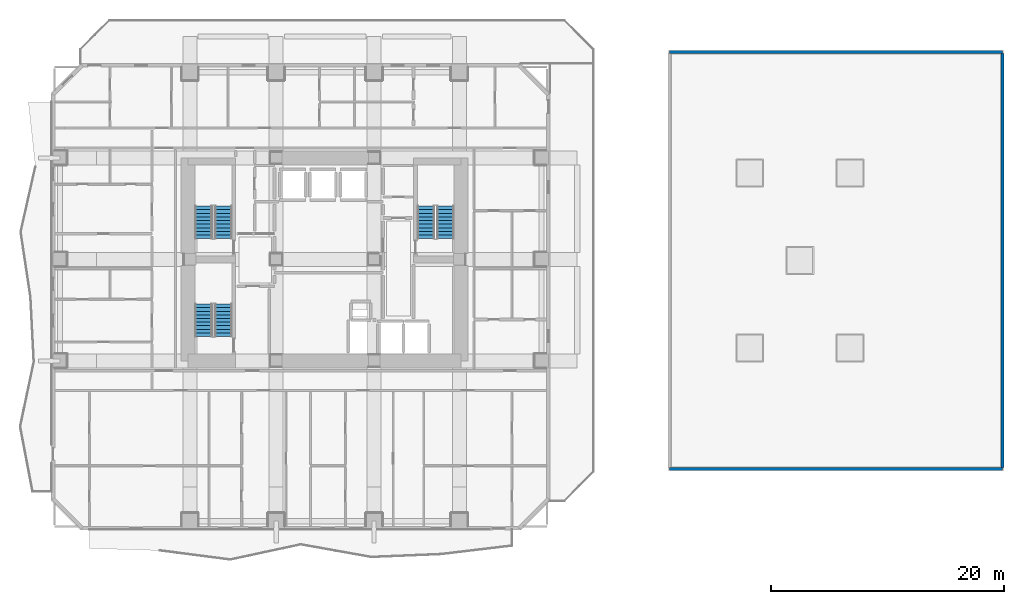
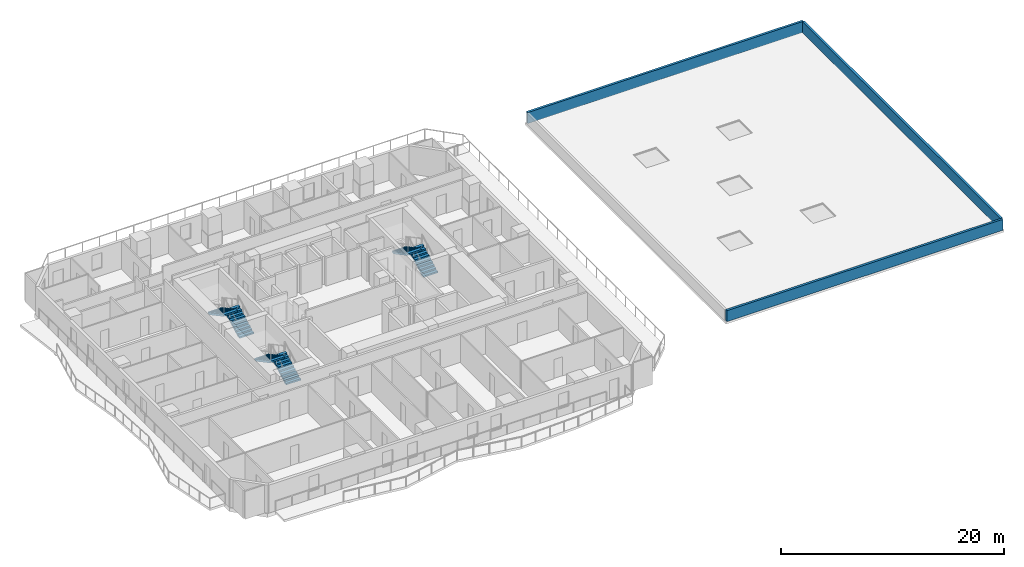
# One storey, part 9 of 13: 6 stair flights, 3 walls, 3 elements without a shape of their own.
"""IFC4 building model written with IfcOpenShell, lengths in metres."""

from ifc_helpers import new_model, si_unit, direction, frame, frame_2d, origin, place, context, subcontext, project, spatial, polyline, rectangle, outline, extrude, material, layer, layer_set, type_object, element, aggregate, save


model = new_model("IFC4")

# Units and contexts
model_context = context("Model", 3, precision=1e-05, world=origin(), true_north=direction((0.0, 1.0)))
body_context = subcontext(model_context, "Body", "Model", "MODEL_VIEW")
ifc_project = project(units=[si_unit("LENGTHUNIT", "METRE"), si_unit("AREAUNIT", "SQUARE_METRE"), si_unit("VOLUMEUNIT", "CUBIC_METRE"), si_unit("PLANEANGLEUNIT", "RADIAN"), si_unit("MASSUNIT", "GRAM", prefix="KILO")], contexts=[model_context])

# Site, building, storey
site_placement = place(None, origin())
site = spatial("IfcSite", under=ifc_project, at=site_placement, CompositionType="ELEMENT")
building_placement = place(site_placement, origin())
building = spatial("IfcBuilding", under=site, at=building_placement, Name="Solanera Arch Residences", CompositionType="ELEMENT")
storey_placement = place(building_placement, frame((0.0, 0.0, 22.0)))
storey = spatial("IfcBuildingStorey", under=building, at=storey_placement, Name="L05", CompositionType="ELEMENT", Elevation=22.0)

# Walls
ifc_material_1 = material(Name="Precast Concrete C35/45", Category="concrete")
ifc_layer = layer(ifc_material_1, 0.239990234375)
ifc_layer_set = layer_set([ifc_layer], Name="Precast Concrete C35/45")
wall_type = type_object("IfcWallType", Name="Parapet Wall Precast 240", PredefinedType="PARAPET", material=ifc_layer_set)
for number, where, z_axis, x_axis, name in (
    (1, (83.080078125, 12.719970703125, 0.239990234375), (0.0, 0.0, 1.0), (-1.0, 0.0, 0.0), "Sports Hall Roof Parapet Wall S"),
    (2, (54.52001953125, 48.47998046875, 0.239990234375), (0.0, 0.0, 1.0), (1.0, 0.0, 0.0), "Sports Hall Roof Parapet Wall N"),
):
    element("IfcWall", number, at=place(storey_placement, frame(where, z_axis=z_axis, x_axis=x_axis)), inside=storey, type_object=wall_type, Name=name, PredefinedType="PARAPET", context=body_context, shape_type="SweptSolid", body=[
        extrude(rectangle(XDim=28.56005859375, YDim=0.239990234375, at=frame_2d((14.280029296875, 0.0))), origin(), (0.0, 0.0, 1.0), 1.199951171875),
    ])
wall_placement = place(storey_placement, frame((83.080078125, 48.360107421875, 0.239990234375), z_axis=(0.0, 0.0, 1.0), x_axis=(0.0, -1.0, 0.0)))
element("IfcWall", 3, at=wall_placement, inside=storey, type_object=wall_type, Name="Sports Hall Roof Parapet Wall E", PredefinedType="PARAPET", context=body_context, shape_type="SweptSolid", body=[
    extrude(rectangle(XDim=35.52001953125, YDim=0.239990234375, at=frame_2d((17.760009765625, 0.0))), origin(), (0.0, 0.0, 1.0), 1.199951171875),
])

# Stair, stair flights
ifc_material_2 = material(Name="Concrete C40/50 (f'c = 45 MPa)", Category="concrete")
stair_type = type_object("IfcStairType", Name="Tower Dogleg Exit Stair 1480", PredefinedType="HALF_TURN_STAIR", material=ifc_material_2)
stair_1_placement = place(storey_placement, origin())
stair_1 = element("IfcStair", 4, at=stair_1_placement, inside=storey, type_object=stair_type, Name="L05 Tower Core Exit Stair 1", PredefinedType="HALF_TURN_STAIR")
ifc_material_3 = material(Name="Concrete C40/50 (f'c = 45 MPa)", Category="concrete")
stair_flight_type = type_object("IfcStairFlightType", Name="Tower Precast Stair Flight 1480", PredefinedType="STRAIGHT", material=ifc_material_3)
stair_flight_1_placement = place(storey_placement, frame((16.260009765625, 32.47998046875, 0.0), z_axis=(0.0, 0.0, 1.0), x_axis=(0.0, 1.0, 0.0)))
stair_flight_1 = element("IfcStairFlight", 5, at=stair_flight_1_placement, type_object=stair_flight_type, Name="ST-T1 flight 1", NumberOfRisers=10, NumberOfTreads=9, PredefinedType="STRAIGHT", RiserHeight=0.166, TreadLength=0.31, context=body_context, shape_type="SweptSolid", body=[
    extrude(outline(polyline([(0.0, 0.0), (0.0, 0.166015625), (0.31005859375, 0.166015625), (0.31005859375, 0.33203125), (0.6201171875, 0.33203125), (0.6201171875, 0.498046875), (0.929931640625, 0.498046875), (0.929931640625, 0.6640625), (1.239990234375, 0.6640625), (1.239990234375, 0.830078125), (1.550048828125, 0.830078125), (1.550048828125, 0.99609375), (1.860107421875, 0.99609375), (1.860107421875, 1.162109375), (2.169921875, 1.162109375), (2.169921875, 1.327880859375), (2.47998046875, 1.327880859375), (2.47998046875, 1.493896484375), (2.7900390625, 1.493896484375), (2.7900390625, 1.659912109375), (2.7900390625, 1.323974609375), (0.317626953125, 0.0), (0.0, 0.0)])), frame((0.0, 0.739990234375, 0.0), z_axis=(0.0, -1.0, 0.0), x_axis=(1.0, 0.0, 0.0)), (0.0, 0.0, 1.0), 1.47998046875),
])
stair_flight_2_placement = place(storey_placement, frame((14.580078125, 35.27001953125, 1.659912109375), z_axis=(0.0, 0.0, 1.0), x_axis=(0.0, -1.0, 0.0)))
stair_flight_2 = element("IfcStairFlight", 6, at=stair_flight_2_placement, type_object=stair_flight_type, Name="ST-T1 flight 2", NumberOfRisers=10, NumberOfTreads=9, PredefinedType="STRAIGHT", RiserHeight=0.166, TreadLength=0.31, context=body_context, shape_type="SweptSolid", body=[
    extrude(outline(polyline([(0.0, 0.0), (0.0, 0.166015625), (0.31005859375, 0.166015625), (0.31005859375, 0.33203125), (0.6201171875, 0.33203125), (0.6201171875, 0.498046875), (0.929931640625, 0.498046875), (0.929931640625, 0.6640625), (1.239990234375, 0.6640625), (1.239990234375, 0.830078125), (1.550048828125, 0.830078125), (1.550048828125, 0.99609375), (1.860107421875, 0.99609375), (1.860107421875, 1.162109375), (2.169921875, 1.162109375), (2.169921875, 1.327880859375), (2.47998046875, 1.327880859375), (2.47998046875, 1.493896484375), (2.7900390625, 1.493896484375), (2.7900390625, 1.659912109375), (2.7900390625, 1.323974609375), (0.317626953125, 0.0), (0.0, 0.0)])), frame((0.0, 0.739990234375, 0.0), z_axis=(0.0, -1.0, 0.0), x_axis=(1.0, 0.0, 0.0)), (0.0, 0.0, 1.0), 1.47998046875),
])
aggregate(stair_1, [stair_flight_1, stair_flight_2])

stair_2_placement = place(storey_placement, origin())
stair_2 = element("IfcStair", 7, at=stair_2_placement, inside=storey, type_object=stair_type, Name="L05 Tower Core Exit Stair 2", PredefinedType="HALF_TURN_STAIR")
stair_flight_3_placement = place(storey_placement, frame((35.320068359375, 32.47998046875, 0.0), z_axis=(0.0, 0.0, 1.0), x_axis=(0.0, 1.0, 0.0)))
stair_flight_3 = element("IfcStairFlight", 8, at=stair_flight_3_placement, type_object=stair_flight_type, Name="ST-T2 flight 1", NumberOfRisers=10, NumberOfTreads=9, PredefinedType="STRAIGHT", RiserHeight=0.166, TreadLength=0.31, context=body_context, shape_type="SweptSolid", body=[
    extrude(outline(polyline([(0.0, 0.0), (0.0, 0.166015625), (0.31005859375, 0.166015625), (0.31005859375, 0.33203125), (0.6201171875, 0.33203125), (0.6201171875, 0.498046875), (0.929931640625, 0.498046875), (0.929931640625, 0.6640625), (1.239990234375, 0.6640625), (1.239990234375, 0.830078125), (1.550048828125, 0.830078125), (1.550048828125, 0.99609375), (1.860107421875, 0.99609375), (1.860107421875, 1.162109375), (2.169921875, 1.162109375), (2.169921875, 1.327880859375), (2.47998046875, 1.327880859375), (2.47998046875, 1.493896484375), (2.7900390625, 1.493896484375), (2.7900390625, 1.659912109375), (2.7900390625, 1.323974609375), (0.317626953125, 0.0), (0.0, 0.0)])), frame((0.0, 0.739990234375, 0.0), z_axis=(0.0, -1.0, 0.0), x_axis=(1.0, 0.0, 0.0)), (0.0, 0.0, 1.0), 1.47998046875),
])
stair_flight_4_placement = place(storey_placement, frame((33.639892578125, 35.27001953125, 1.659912109375), z_axis=(0.0, 0.0, 1.0), x_axis=(0.0, -1.0, 0.0)))
stair_flight_4 = element("IfcStairFlight", 9, at=stair_flight_4_placement, type_object=stair_flight_type, Name="ST-T2 flight 2", NumberOfRisers=10, NumberOfTreads=9, PredefinedType="STRAIGHT", RiserHeight=0.166, TreadLength=0.31, context=body_context, shape_type="SweptSolid", body=[
    extrude(outline(polyline([(0.0, 0.0), (0.0, 0.166015625), (0.31005859375, 0.166015625), (0.31005859375, 0.33203125), (0.6201171875, 0.33203125), (0.6201171875, 0.498046875), (0.929931640625, 0.498046875), (0.929931640625, 0.6640625), (1.239990234375, 0.6640625), (1.239990234375, 0.830078125), (1.550048828125, 0.830078125), (1.550048828125, 0.99609375), (1.860107421875, 0.99609375), (1.860107421875, 1.162109375), (2.169921875, 1.162109375), (2.169921875, 1.327880859375), (2.47998046875, 1.327880859375), (2.47998046875, 1.493896484375), (2.7900390625, 1.493896484375), (2.7900390625, 1.659912109375), (2.7900390625, 1.323974609375), (0.317626953125, 0.0), (0.0, 0.0)])), frame((0.0, 0.739990234375, 0.0), z_axis=(0.0, -1.0, 0.0), x_axis=(1.0, 0.0, 0.0)), (0.0, 0.0, 1.0), 1.47998046875),
])
aggregate(stair_2, [stair_flight_3, stair_flight_4])

stair_3_placement = place(storey_placement, origin())
stair_3 = element("IfcStair", 10, at=stair_3_placement, inside=storey, type_object=stair_type, Name="L05 Tower Core Exit Stair 3", PredefinedType="HALF_TURN_STAIR")
stair_flight_5_placement = place(storey_placement, frame((16.260009765625, 24.080078125, 0.0), z_axis=(0.0, 0.0, 1.0), x_axis=(0.0, 1.0, 0.0)))
stair_flight_5 = element("IfcStairFlight", 11, at=stair_flight_5_placement, type_object=stair_flight_type, Name="ST-T3 flight 1", NumberOfRisers=10, NumberOfTreads=9, PredefinedType="STRAIGHT", RiserHeight=0.166, TreadLength=0.31, context=body_context, shape_type="SweptSolid", body=[
    extrude(outline(polyline([(0.0, 0.0), (0.0, 0.166015625), (0.31005859375, 0.166015625), (0.31005859375, 0.33203125), (0.6201171875, 0.33203125), (0.6201171875, 0.498046875), (0.929931640625, 0.498046875), (0.929931640625, 0.6640625), (1.239990234375, 0.6640625), (1.239990234375, 0.830078125), (1.550048828125, 0.830078125), (1.550048828125, 0.99609375), (1.860107421875, 0.99609375), (1.860107421875, 1.162109375), (2.169921875, 1.162109375), (2.169921875, 1.327880859375), (2.47998046875, 1.327880859375), (2.47998046875, 1.493896484375), (2.7900390625, 1.493896484375), (2.7900390625, 1.659912109375), (2.7900390625, 1.323974609375), (0.317626953125, 0.0), (0.0, 0.0)])), frame((0.0, 0.739990234375, 0.0), z_axis=(0.0, -1.0, 0.0), x_axis=(1.0, 0.0, 0.0)), (0.0, 0.0, 1.0), 1.47998046875),
])
stair_flight_6_placement = place(storey_placement, frame((14.580078125, 26.8701171875, 1.659912109375), z_axis=(0.0, 0.0, 1.0), x_axis=(0.0, -1.0, 0.0)))
stair_flight_6 = element("IfcStairFlight", 12, at=stair_flight_6_placement, type_object=stair_flight_type, Name="ST-T3 flight 2", NumberOfRisers=10, NumberOfTreads=9, PredefinedType="STRAIGHT", RiserHeight=0.166, TreadLength=0.31, context=body_context, shape_type="SweptSolid", body=[
    extrude(outline(polyline([(0.0, 0.0), (0.0, 0.166015625), (0.31005859375, 0.166015625), (0.31005859375, 0.33203125), (0.6201171875, 0.33203125), (0.6201171875, 0.498046875), (0.929931640625, 0.498046875), (0.929931640625, 0.6640625), (1.239990234375, 0.6640625), (1.239990234375, 0.830078125), (1.550048828125, 0.830078125), (1.550048828125, 0.99609375), (1.860107421875, 0.99609375), (1.860107421875, 1.162109375), (2.169921875, 1.162109375), (2.169921875, 1.327880859375), (2.47998046875, 1.327880859375), (2.47998046875, 1.493896484375), (2.7900390625, 1.493896484375), (2.7900390625, 1.659912109375), (2.7900390625, 1.323974609375), (0.317626953125, 0.0), (0.0, 0.0)])), frame((0.0, 0.739990234375, 0.0), z_axis=(0.0, -1.0, 0.0), x_axis=(1.0, 0.0, 0.0)), (0.0, 0.0, 1.0), 1.47998046875),
])
aggregate(stair_3, [stair_flight_5, stair_flight_6])

save(model, "model.ifc")
